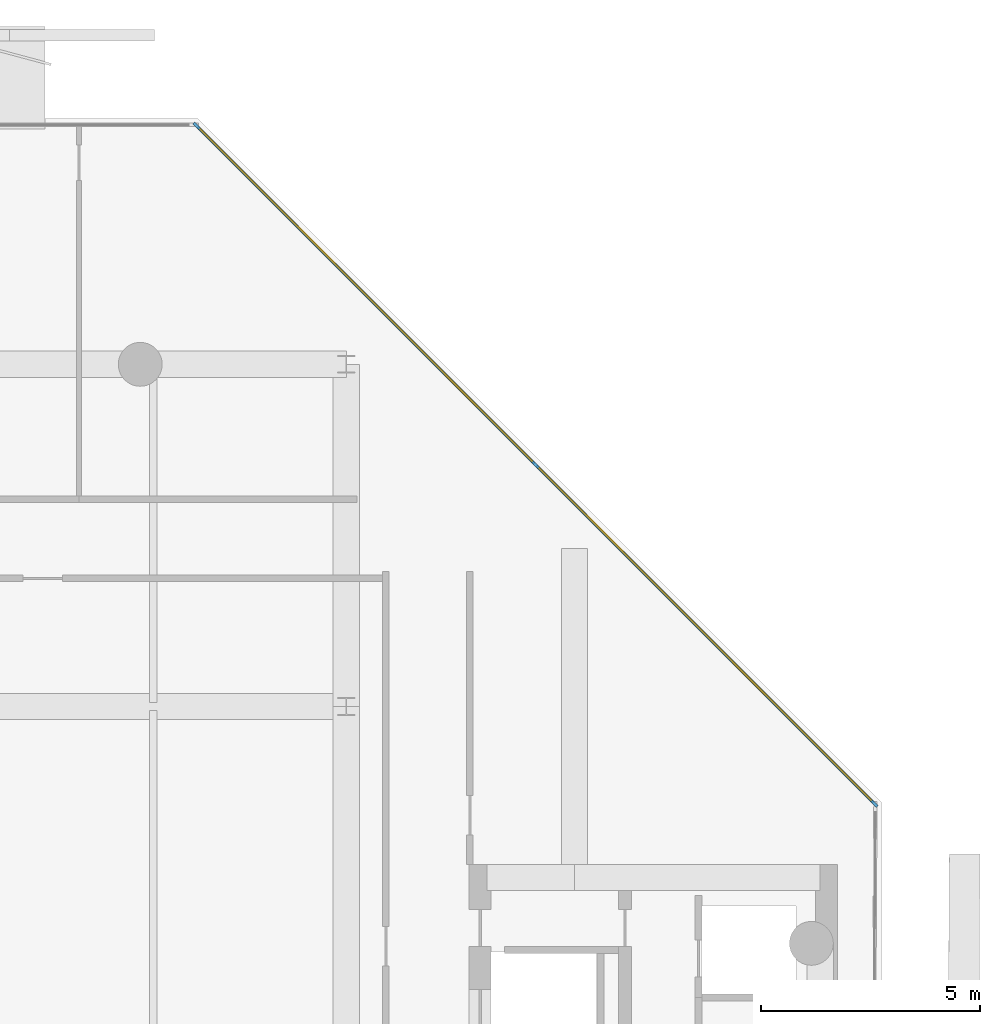
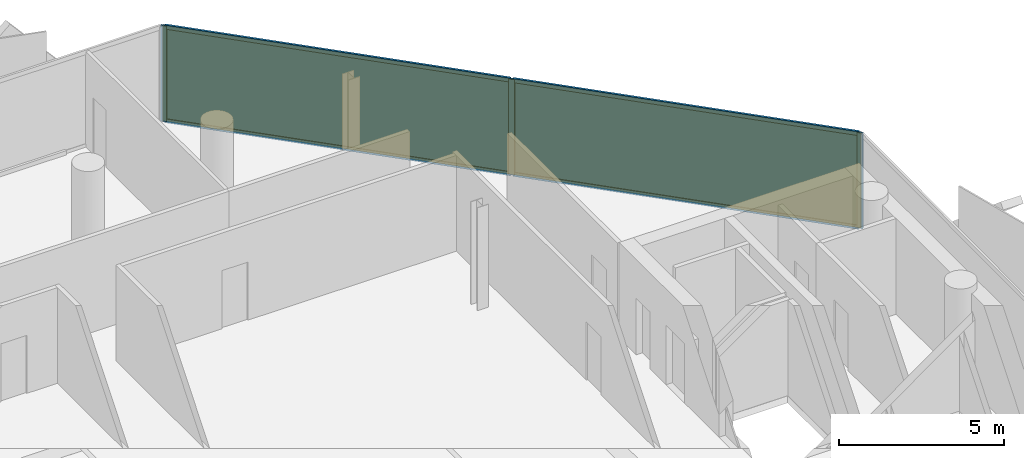
# One storey, part 12 of 16: 7 members, 2 plates, 1 curtain wall.
"""IFC4 building model written with IfcOpenShell, lengths in metres."""

from ifc_helpers import new_model, si_unit, direction, frame, frame_2d, origin, origin_2d, place, context, subcontext, project, spatial, rectangle, extrude, material, layer, layer_set, material_profile, profile_set, type_object, element, aggregate, save


model = new_model("IFC4")

# Units and contexts
model_context = context("Model", 3, precision=1e-05, world=origin(), true_north=direction((0.0, 1.0)))
body_context = subcontext(model_context, "Body", "Model", "MODEL_VIEW")
ifc_project = project(units=[si_unit("LENGTHUNIT", "METRE"), si_unit("AREAUNIT", "SQUARE_METRE"), si_unit("VOLUMEUNIT", "CUBIC_METRE"), si_unit("PLANEANGLEUNIT", "RADIAN"), si_unit("MASSUNIT", "GRAM", prefix="KILO")], contexts=[model_context])

# Member
ifc_material_1 = material(Name="Anodised Bronze Aluminium 6063-T6", Category="aluminium")
ifc_material_profile_1 = material_profile(ifc_material_1, rectangle(XDim=0.070068359375, YDim=0.18994140625, at=origin_2d()))
ifc_profile_set_1 = profile_set([ifc_material_profile_1], Name="Anodised Bronze Aluminium 6063-T6")
member_type_1 = type_object("IfcMemberType", Name="CW-SLC Mullion 70x190", PredefinedType="MULLION", material=ifc_profile_set_1)
site_placement = place(None, origin())
building_placement = place(site_placement, origin())
storey_placement = place(building_placement, frame((0.0, 0.0, 311.800048828125)))
member_1_placement = place(storey_placement, frame((5.786865234375, 24.03515625, 0.0), z_axis=(0.0, 0.0, 1.0), x_axis=(0.707106781187, 0.707106781187, 0.0)))
member_1 = element("IfcMember", 1, at=member_1_placement, type_object=member_type_1, Name="CW-SLC mullion 1", PredefinedType="MULLION", context=body_context, shape_type="SweptSolid", body=[
    extrude(rectangle(XDim=0.070068359375, YDim=0.18994140625, at=origin_2d()), origin(), (0.0, 0.0, 1.0), 3.5400390625),
])

member_2_placement = place(storey_placement, frame((13.510986328125, 16.31103515625, 0.0), z_axis=(0.0, 0.0, 1.0), x_axis=(0.707106781187, 0.707106781187, 0.0)))
member_2 = element("IfcMember", 2, at=member_2_placement, type_object=member_type_1, Name="CW-SLC mullion 2", PredefinedType="MULLION", context=body_context, shape_type="SweptSolid", body=[
    extrude(rectangle(XDim=0.070068359375, YDim=0.18994140625, at=origin_2d()), origin(), (0.0, 0.0, 1.0), 3.5400390625),
])

member_3_placement = place(storey_placement, frame((21.2353515625, 8.586669921875, 0.0), z_axis=(0.0, 0.0, 1.0), x_axis=(0.707106781187, 0.707106781187, 0.0)))
member_3 = element("IfcMember", 3, at=member_3_placement, type_object=member_type_1, Name="CW-SLC mullion 3", PredefinedType="MULLION", context=body_context, shape_type="SweptSolid", body=[
    extrude(rectangle(XDim=0.070068359375, YDim=0.18994140625, at=origin_2d()), origin(), (0.0, 0.0, 1.0), 3.5400390625),
])

ifc_material_2 = material(Name="Anodised Bronze Aluminium 6063-T6", Category="aluminium")
ifc_material_profile_2 = material_profile(ifc_material_2, rectangle(XDim=0.070068359375, YDim=0.14990234375, at=origin_2d()))
ifc_profile_set_2 = profile_set([ifc_material_profile_2], Name="Anodised Bronze Aluminium 6063-T6")
member_type_2 = type_object("IfcMemberType", Name="CW-SLC Transom 70x150", PredefinedType="USERDEFINED", material=ifc_profile_set_2)
member_4_placement = place(storey_placement, frame((5.8115234375, 24.010498046875, 0.034912109375), z_axis=(0.707106781187, -0.707106781187, 0.0), x_axis=(0.707106781187, 0.707106781187, 0.0)))
member_4 = element("IfcMember", 4, at=member_4_placement, type_object=member_type_2, Name="CW-SLC transom 1.1", ObjectType="TRANSOM", PredefinedType="USERDEFINED", context=body_context, shape_type="SweptSolid", body=[
    extrude(rectangle(XDim=0.070068359375, YDim=0.14990234375, at=origin_2d()), origin(), (0.0, 0.0, 1.0), 10.853759765625),
])

member_5_placement = place(storey_placement, frame((5.8115234375, 24.010498046875, 3.5048828125), z_axis=(0.707106781187, -0.707106781187, 0.0), x_axis=(0.707106781187, 0.707106781187, 0.0)))
member_5 = element("IfcMember", 5, at=member_5_placement, type_object=member_type_2, Name="CW-SLC transom 1.2", ObjectType="TRANSOM", PredefinedType="USERDEFINED", context=body_context, shape_type="SweptSolid", body=[
    extrude(rectangle(XDim=0.070068359375, YDim=0.14990234375, at=origin_2d()), origin(), (0.0, 0.0, 1.0), 10.853759765625),
])

member_6_placement = place(storey_placement, frame((13.53564453125, 16.2861328125, 0.034912109375), z_axis=(0.707118028044, -0.70709553415, 0.0), x_axis=(0.70709553415, 0.707118028044, 0.0)))
member_6 = element("IfcMember", 6, at=member_6_placement, type_object=member_type_2, Name="CW-SLC transom 2.1", ObjectType="TRANSOM", PredefinedType="USERDEFINED", context=body_context, shape_type="SweptSolid", body=[
    extrude(rectangle(XDim=0.070068359375, YDim=0.14990234375, at=origin_2d()), origin(), (0.0, 0.0, 1.0), 10.853759765625),
])

member_7_placement = place(storey_placement, frame((13.53564453125, 16.2861328125, 3.5048828125), z_axis=(0.707118028044, -0.70709553415, 0.0), x_axis=(0.70709553415, 0.707118028044, 0.0)))
member_7 = element("IfcMember", 7, at=member_7_placement, type_object=member_type_2, Name="CW-SLC transom 2.2", ObjectType="TRANSOM", PredefinedType="USERDEFINED", context=body_context, shape_type="SweptSolid", body=[
    extrude(rectangle(XDim=0.070068359375, YDim=0.14990234375, at=origin_2d()), origin(), (0.0, 0.0, 1.0), 10.853759765625),
])

# Plate
ifc_material_3 = material(Name="Low-E Solar Control Laminated Glass", Category="glass")
ifc_layer_1 = layer(ifc_material_3, 0.033935546875, Name="Low-E Solar Control Laminated Glass")
ifc_layer_set_1 = layer_set([ifc_layer_1], Name="Low-E Solar Control Laminated Glass")
plate_type = type_object("IfcPlateType", Name="CW-SLC Low-E Double Glazed Panel 34mm", PredefinedType="CURTAIN_PANEL", material=ifc_layer_set_1)
plate_1_placement = place(storey_placement, frame((9.64892578125, 20.173095703125, 0.070068359375), z_axis=(0.0, 0.0, 1.0), x_axis=(0.707106781187, -0.707106781187, 0.0)))
plate_1 = element("IfcPlate", 8, at=plate_1_placement, type_object=plate_type, Name="CW-SLC panel 1.1", PredefinedType="CURTAIN_PANEL", context=body_context, shape_type="SweptSolid", body=[
    extrude(rectangle(XDim=10.853759765625, YDim=0.033935546875, at=origin_2d()), origin(), (0.0, 0.0, 1.0), 3.39990234375),
])

plate_2_placement = place(storey_placement, frame((17.373046875, 12.448974609375, 0.070068359375), z_axis=(0.0, 0.0, 1.0), x_axis=(0.707106781187, -0.707106781187, 0.0)))
plate_2 = element("IfcPlate", 9, at=plate_2_placement, type_object=plate_type, Name="CW-SLC panel 2.1", PredefinedType="CURTAIN_PANEL", context=body_context, shape_type="SweptSolid", body=[
    extrude(rectangle(XDim=10.853759765625, YDim=0.033935546875, at=origin_2d()), origin(), (0.0, 0.0, 1.0), 3.39990234375),
])

# Site, building, storey
site = spatial("IfcSite", under=ifc_project, at=site_placement, CompositionType="ELEMENT")
building = spatial("IfcBuilding", under=site, at=building_placement, Name="Khairoan Windgate Tower", CompositionType="ELEMENT")
storey = spatial("IfcBuildingStorey", under=building, at=storey_placement, Name="L75", CompositionType="ELEMENT", Elevation=311.800048828125)

# Curtain wall
ifc_material_4 = material(Name="Anodised Bronze Aluminium 6063-T6", Category="aluminium")
ifc_layer_2 = layer(ifc_material_4, 0.18994140625, Name="Anodised Bronze Aluminium 6063-T6")
ifc_layer_set_2 = layer_set([ifc_layer_2], Name="Anodised Bronze Aluminium 6063-T6")
curtain_wall_type = type_object("IfcCurtainWallType", Name="Diagonal Corner-Slice Facet Curtain Wall CW-SLC", PredefinedType="NOTDEFINED", material=ifc_layer_set_2)
curtain_wall_placement = place(storey_placement, frame((5.761962890625, 24.06005859375, 0.0), z_axis=(0.0, 0.0, 1.0), x_axis=(0.707106781187, -0.707106781187, 0.0)))
curtain_wall = element("IfcCurtainWall", 10, at=curtain_wall_placement, inside=storey, type_object=curtain_wall_type, Name="L75 Crystal Slice Curtain Wall 8", PredefinedType="NOTDEFINED", context=body_context, shape_type="SweptSolid", body=[
    extrude(rectangle(XDim=21.91748046875, YDim=0.010009765625, at=frame_2d((10.958740234375, 0.0))), origin(), (0.0, 0.0, 1.0), 3.5400390625),
])

aggregate(curtain_wall, [member_1, member_2, member_3, member_4, member_5, plate_1, member_6, member_7, plate_2])

save(model, "model.ifc")
